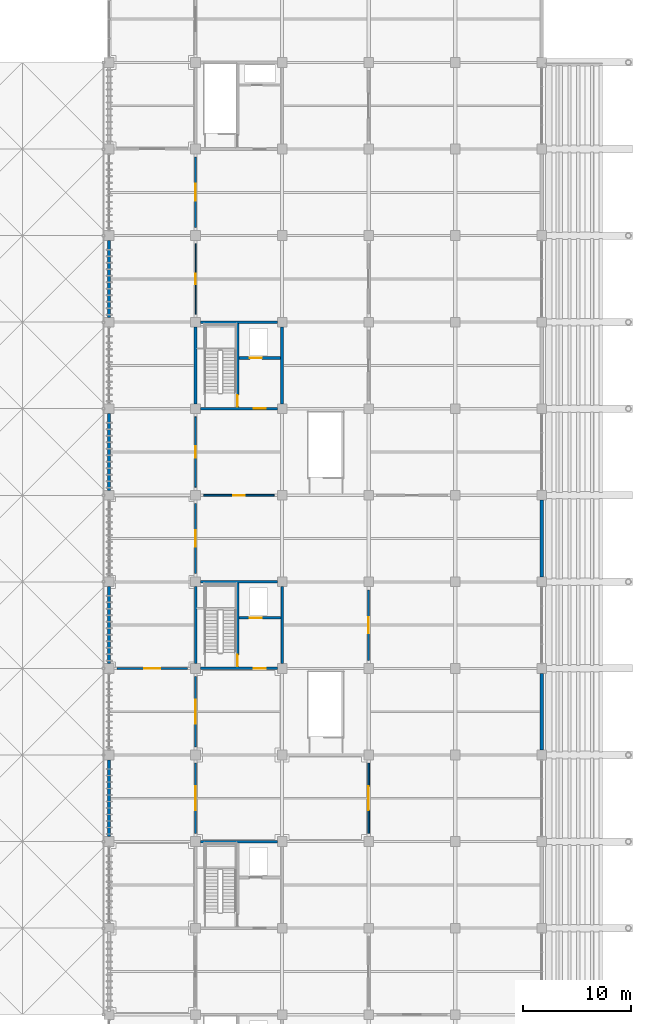
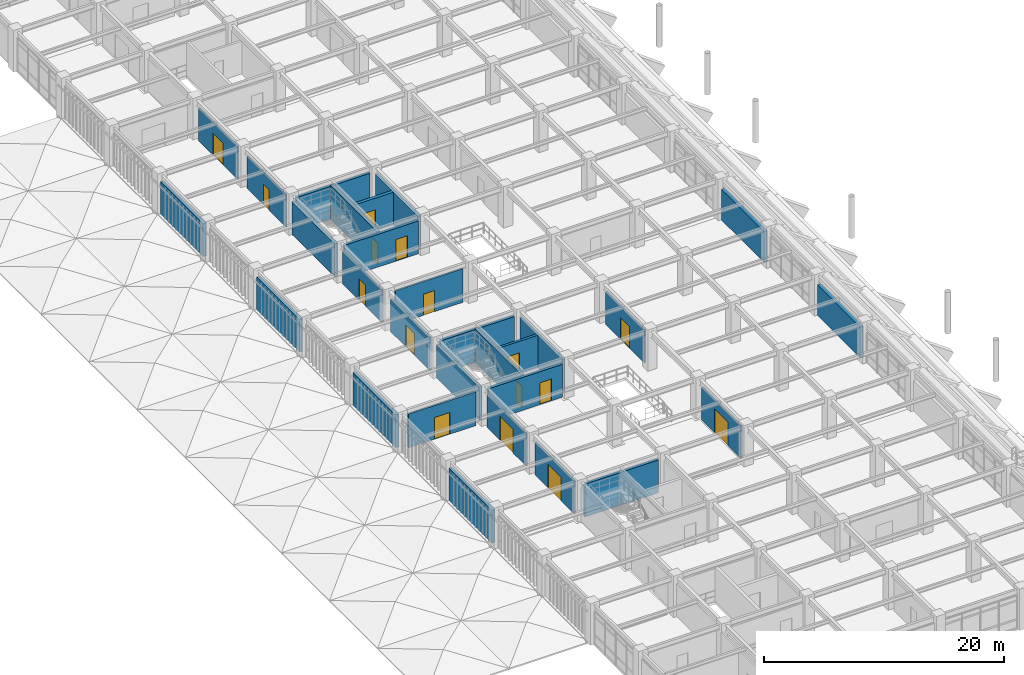
# One storey, part 88 of 118: 29 walls, 16 doors, 16 openings.
"""IFC4 building model written with IfcOpenShell, lengths in metres."""

from ifc_helpers import new_model, si_unit, direction, frame, frame_2d, origin, place, context, subcontext, project, spatial, rectangle, extrude, material, layer, layer_set, type_object, element, fill, save


model = new_model("IFC4")

# Units and contexts
model_context = context("Model", 3, precision=1e-05, world=origin(), true_north=direction((0.0, 1.0)))
body_context = subcontext(model_context, "Body", "Model", "MODEL_VIEW")
ifc_project = project(units=[si_unit("LENGTHUNIT", "METRE"), si_unit("AREAUNIT", "SQUARE_METRE"), si_unit("VOLUMEUNIT", "CUBIC_METRE"), si_unit("PLANEANGLEUNIT", "RADIAN"), si_unit("MASSUNIT", "GRAM", prefix="KILO")], contexts=[model_context])

# Site, building, storey
site_placement = place(None, origin())
site = spatial("IfcSite", under=ifc_project, at=site_placement, CompositionType="ELEMENT")
building_placement = place(site_placement, origin())
building = spatial("IfcBuilding", under=site, at=building_placement, Name="Haebicheon Civic Stadium", CompositionType="ELEMENT")
storey_placement = place(building_placement, frame((0.0, 0.0, 14.39990234375)))
storey = spatial("IfcBuildingStorey", under=building, at=storey_placement, Name="L04", CompositionType="ELEMENT", Elevation=14.39990234375)

# Wall
ifc_material_1 = material(Name="Concrete C40/50", Category="concrete")
ifc_layer_1 = layer(ifc_material_1, 0.239990234375, Name="Concrete C40/50")
ifc_layer_set_1 = layer_set([ifc_layer_1], Name="Concrete C40/50")
wall_type_1 = type_object("IfcWallType", Name="CW-SHR-240", PredefinedType="SHEAR", material=ifc_layer_set_1)
wall_1_placement = place(storey_placement, frame((32.449951171875, 64.0, 0.0), z_axis=(0.0, 0.0, 1.0), x_axis=(1.0, 0.0, 0.0)))
element("IfcWall", 1, at=wall_1_placement, inside=storey, type_object=wall_type_1, material=ifc_layer_set_1, Name="KC-02 L04 north core shear wall", PredefinedType="SHEAR", context=body_context, shape_type="SweptSolid", body=[
    extrude(rectangle(XDim=7.10009765625, YDim=0.239990234375, at=frame_2d((3.550048828125, 0.0))), origin(), (0.0, 0.0, 1.0), 3.330078125),
])

# Wall, opening, door
wall_2_placement = place(storey_placement, frame((32.449951171875, 80.0, 0.0), z_axis=(0.0, 0.0, 1.0), x_axis=(1.0, 0.0, 0.0)))
wall_2 = element("IfcWall", 2, at=wall_2_placement, inside=storey, type_object=wall_type_1, material=ifc_layer_set_1, Name="KC-03 L04 south core shear wall", PredefinedType="SHEAR", context=body_context, shape_type="SweptSolid", body=[
    extrude(rectangle(XDim=7.10009765625, YDim=0.239990234375, at=frame_2d((3.550048828125, 0.0))), origin(), (0.0, 0.0, 1.0), 3.330078125),
])
opening_1_placement = place(wall_2_placement, frame((4.949951171875, 0.0, 0.0)))
opening_1 = element("IfcOpeningElement", 3, at=opening_1_placement, cuts=wall_2, Name="Opening D-L04-KC-03-LOB", PredefinedType="OPENING", context=body_context, shape_type="SweptSolid", body=[
    extrude(rectangle(XDim=1.10009765625, YDim=2.199951171875, at=frame_2d((0.550048828125, 1.10009765625))), frame((0.0, 0.1298828125, 0.0), z_axis=(0.0, -1.0, 0.0), x_axis=(1.0, 0.0, 0.0)), (0.0, 0.0, 1.0), 0.260009765625),
])
ifc_material_2 = material(Name="Galvanised painted steel SM355", Category="steel")
door_type_1 = type_object("IfcDoorType", Name="ID-FD-1100", OperationType="NOTDEFINED", PredefinedType="DOOR", material=ifc_material_2)
door_1_placement = place(opening_1_placement, origin())
door_1 = element("IfcDoor", 4, at=door_1_placement, inside=storey, type_object=door_type_1, material=ifc_material_2, Name="L04 KC-03 lobby fire door", OperationType="SINGLE_SWING_RIGHT", OverallHeight=2.199951171875, OverallWidth=1.10009765625, PredefinedType="DOOR", context=body_context, shape_type="SweptSolid", body=[
    extrude(rectangle(XDim=1.10009765625, YDim=2.199951171875, at=frame_2d((0.550048828125, 1.10009765625))), frame((0.0, 0.02490234375, 0.0), z_axis=(0.0, -1.0, 0.0), x_axis=(1.0, 0.0, 0.0)), (0.0, 0.0, 1.0), 0.050048828125),
])
fill(opening_1, door_1)

# Walls
for number, where, z_axis, x_axis, name in (
    (5, (32.449951171875, 88.0, 0.0), (0.0, 0.0, 1.0), (1.0, 0.0, 0.0), "KC-03 L04 north core shear wall"),
    (6, (32.0, 80.449951171875, 0.0), (0.0, 0.0, 1.0), (0.0, 1.0, 0.0), "KC-03 L04 west core shear wall"),
    (7, (40.0, 80.449951171875, 0.0), (0.0, 0.0, 1.0), (0.0, 1.0, 0.0), "KC-03 L04 east core shear wall"),
):
    element("IfcWall", number, at=place(storey_placement, frame(where, z_axis=z_axis, x_axis=x_axis)), inside=storey, type_object=wall_type_1, material=ifc_layer_set_1, Name=name, PredefinedType="SHEAR", context=body_context, shape_type="SweptSolid", body=[
        extrude(rectangle(XDim=7.10009765625, YDim=0.239990234375, at=frame_2d((3.550048828125, 0.0))), origin(), (0.0, 0.0, 1.0), 3.330078125),
    ])

# Wall, opening, door
wall_3_placement = place(storey_placement, frame((35.8798828125, 80.1201171875, 0.0), z_axis=(0.0, 0.0, 1.0), x_axis=(0.0, 1.0, 0.0)))
wall_3 = element("IfcWall", 8, at=wall_3_placement, inside=storey, type_object=wall_type_1, material=ifc_layer_set_1, Name="KC-03 L04 stair-lobby dividing shear wall", PredefinedType="SHEAR", context=body_context, shape_type="SweptSolid", body=[
    extrude(rectangle(XDim=7.759765625, YDim=0.239990234375, at=frame_2d((3.8798828125, 0.0))), origin(), (0.0, 0.0, 1.0), 3.43017578125),
])
opening_2_placement = place(wall_3_placement, frame((0.080078125, 0.0, 0.0)))
opening_2 = element("IfcOpeningElement", 9, at=opening_2_placement, cuts=wall_3, Name="Opening D-L04-KC-03-STR", PredefinedType="OPENING", context=body_context, shape_type="SweptSolid", body=[
    extrude(rectangle(XDim=1.050048828125, YDim=2.14990234375, at=frame_2d((0.52490234375, 1.074951171875))), frame((0.0, 0.1298828125, 0.0), z_axis=(0.0, -1.0, 0.0), x_axis=(1.0, 0.0, 0.0)), (0.0, 0.0, 1.0), 0.260009765625),
])
ifc_material_3 = material(Name="Galvanised painted steel SM355", Category="steel")
door_type_2 = type_object("IfcDoorType", Name="ID-FD-1050", OperationType="NOTDEFINED", PredefinedType="DOOR", material=ifc_material_3)
door_2_placement = place(opening_2_placement, origin())
door_2 = element("IfcDoor", 10, at=door_2_placement, inside=storey, type_object=door_type_2, material=ifc_material_3, Name="L04 ST-03 stairwell escape door", OperationType="SINGLE_SWING_LEFT", OverallHeight=2.14990234375, OverallWidth=1.050048828125, PredefinedType="DOOR", context=body_context, shape_type="SweptSolid", body=[
    extrude(rectangle(XDim=1.050048828125, YDim=2.14990234375, at=frame_2d((0.52490234375, 1.074951171875))), frame((0.0, 0.02490234375, 0.0), z_axis=(0.0, -1.0, 0.0), x_axis=(1.0, 0.0, 0.0)), (0.0, 0.0, 1.0), 0.050048828125),
])
fill(opening_2, door_2)

wall_4_placement = place(storey_placement, frame((36.0, 84.679931640625, 0.0), z_axis=(0.0, 0.0, 1.0), x_axis=(1.0, 0.0, 0.0)))
wall_4 = element("IfcWall", 11, at=wall_4_placement, inside=storey, type_object=wall_type_1, material=ifc_layer_set_1, Name="KC-03 L04 lift shaft front wall", PredefinedType="SHEAR", context=body_context, shape_type="SweptSolid", body=[
    extrude(rectangle(XDim=3.8798828125, YDim=0.239990234375, at=frame_2d((1.93994140625, 0.0))), origin(), (0.0, 0.0, 1.0), 3.330078125),
])
opening_3_placement = place(wall_4_placement, frame((1.0, 0.0, 0.0)))
opening_3 = element("IfcOpeningElement", 12, at=opening_3_placement, cuts=wall_4, Name="Opening LD-03-L04", PredefinedType="OPENING", context=body_context, shape_type="SweptSolid", body=[
    extrude(rectangle(XDim=1.10009765625, YDim=2.14990234375, at=frame_2d((0.550048828125, 1.074951171875))), frame((0.0, 0.1298828125, 0.0), z_axis=(0.0, -1.0, 0.0), x_axis=(1.0, 0.0, 0.0)), (0.0, 0.0, 1.0), 0.260009765625),
])
ifc_material_4 = material(Name="Stainless steel 316", Category="steel")
door_type_3 = type_object("IfcDoorType", Name="ID-LD-1100", OperationType="NOTDEFINED", PredefinedType="DOOR", material=ifc_material_4)
door_3_placement = place(opening_3_placement, origin())
door_3 = element("IfcDoor", 13, at=door_3_placement, inside=storey, type_object=door_type_3, material=ifc_material_4, Name="LF-03 lift landing sliding door L04", OperationType="SLIDING_TO_LEFT", OverallHeight=2.14990234375, OverallWidth=1.10009765625, PredefinedType="DOOR", context=body_context, shape_type="SweptSolid", body=[
    extrude(rectangle(XDim=1.10009765625, YDim=2.14990234375, at=frame_2d((0.550048828125, 1.074951171875))), frame((0.0, 0.02490234375, 0.0), z_axis=(0.0, -1.0, 0.0), x_axis=(1.0, 0.0, 0.0)), (0.0, 0.0, 1.0), 0.050048828125),
])
fill(opening_3, door_3)

wall_5_placement = place(storey_placement, frame((32.449951171875, 104.0, 0.0), z_axis=(0.0, 0.0, 1.0), x_axis=(1.0, 0.0, 0.0)))
wall_5 = element("IfcWall", 14, at=wall_5_placement, inside=storey, type_object=wall_type_1, material=ifc_layer_set_1, Name="KC-04 L04 south core shear wall", PredefinedType="SHEAR", context=body_context, shape_type="SweptSolid", body=[
    extrude(rectangle(XDim=7.10009765625, YDim=0.239990234375, at=frame_2d((3.550048828125, 0.0))), origin(), (0.0, 0.0, 1.0), 3.330078125),
])
opening_4_placement = place(wall_5_placement, frame((4.949951171875, 0.0, 0.0)))
opening_4 = element("IfcOpeningElement", 15, at=opening_4_placement, cuts=wall_5, Name="Opening D-L04-KC-04-LOB", PredefinedType="OPENING", context=body_context, shape_type="SweptSolid", body=[
    extrude(rectangle(XDim=1.10009765625, YDim=2.199951171875, at=frame_2d((0.550048828125, 1.10009765625))), frame((0.0, 0.1298828125, 0.0), z_axis=(0.0, -1.0, 0.0), x_axis=(1.0, 0.0, 0.0)), (0.0, 0.0, 1.0), 0.260009765625),
])
door_4_placement = place(opening_4_placement, origin())
door_4 = element("IfcDoor", 16, at=door_4_placement, inside=storey, type_object=door_type_1, material=ifc_material_2, Name="L04 KC-04 lobby fire door", OperationType="SINGLE_SWING_RIGHT", OverallHeight=2.199951171875, OverallWidth=1.10009765625, PredefinedType="DOOR", context=body_context, shape_type="SweptSolid", body=[
    extrude(rectangle(XDim=1.10009765625, YDim=2.199951171875, at=frame_2d((0.550048828125, 1.10009765625))), frame((0.0, 0.02490234375, 0.0), z_axis=(0.0, -1.0, 0.0), x_axis=(1.0, 0.0, 0.0)), (0.0, 0.0, 1.0), 0.050048828125),
])
fill(opening_4, door_4)

# Walls
wall_6_placement = place(storey_placement, frame((32.449951171875, 112.0, 0.0), z_axis=(0.0, 0.0, 1.0), x_axis=(1.0, 0.0, 0.0)))
element("IfcWall", 17, at=wall_6_placement, inside=storey, type_object=wall_type_1, material=ifc_layer_set_1, Name="KC-04 L04 north core shear wall", PredefinedType="SHEAR", context=body_context, shape_type="SweptSolid", body=[
    extrude(rectangle(XDim=7.10009765625, YDim=0.239990234375, at=frame_2d((3.550048828125, 0.0))), origin(), (0.0, 0.0, 1.0), 3.330078125),
])
ifc_material_5 = material(Name="Concrete C40/50", Category="concrete")
ifc_layer_2 = layer(ifc_material_5, 0.300048828125, Name="Concrete C40/50")
ifc_layer_set_2 = layer_set([ifc_layer_2], Name="Concrete C40/50")
wall_type_2 = type_object("IfcWallType", Name="CW-SHR-300", PredefinedType="SHEAR", material=ifc_layer_set_2)
for number, where, z_axis, x_axis, name in (
    (18, (32.0, 104.449951171875, 0.0), (0.0, 0.0, 1.0), (0.0, 1.0, 0.0), "KC-04 L04 west core shear wall"),
    (19, (40.0, 104.449951171875, 0.0), (0.0, 0.0, 1.0), (0.0, 1.0, 0.0), "KC-04 L04 east core shear wall"),
):
    element("IfcWall", number, at=place(storey_placement, frame(where, z_axis=z_axis, x_axis=x_axis)), inside=storey, type_object=wall_type_2, material=ifc_layer_set_2, Name=name, PredefinedType="SHEAR", context=body_context, shape_type="SweptSolid", body=[
        extrude(rectangle(XDim=7.10009765625, YDim=0.300048828125, at=frame_2d((3.550048828125, 0.0))), origin(), (0.0, 0.0, 1.0), 3.330078125),
    ])

# Wall, opening, door
wall_7_placement = place(storey_placement, frame((35.8798828125, 104.1201171875, 0.0), z_axis=(0.0, 0.0, 1.0), x_axis=(0.0, 1.0, 0.0)))
wall_7 = element("IfcWall", 20, at=wall_7_placement, inside=storey, type_object=wall_type_2, material=ifc_layer_set_2, Name="KC-04 L04 stair-lobby dividing shear wall", PredefinedType="SHEAR", context=body_context, shape_type="SweptSolid", body=[
    extrude(rectangle(XDim=7.759765625, YDim=0.300048828125, at=frame_2d((3.8798828125, 0.0))), origin(), (0.0, 0.0, 1.0), 3.43017578125),
])
opening_5_placement = place(wall_7_placement, frame((0.080078125, 0.0, 0.0)))
opening_5 = element("IfcOpeningElement", 21, at=opening_5_placement, cuts=wall_7, Name="Opening D-L04-KC-04-STR", PredefinedType="OPENING", context=body_context, shape_type="SweptSolid", body=[
    extrude(rectangle(XDim=1.050048828125, YDim=2.14990234375, at=frame_2d((0.52490234375, 1.074951171875))), frame((0.0, 0.159912109375, 0.0), z_axis=(0.0, -1.0, 0.0), x_axis=(1.0, 0.0, 0.0)), (0.0, 0.0, 1.0), 0.320068359375),
])
door_5_placement = place(opening_5_placement, origin())
door_5 = element("IfcDoor", 22, at=door_5_placement, inside=storey, type_object=door_type_2, material=ifc_material_3, Name="L04 ST-04 stairwell escape door", OperationType="SINGLE_SWING_LEFT", OverallHeight=2.14990234375, OverallWidth=1.050048828125, PredefinedType="DOOR", context=body_context, shape_type="SweptSolid", body=[
    extrude(rectangle(XDim=1.050048828125, YDim=2.14990234375, at=frame_2d((0.52490234375, 1.074951171875))), frame((0.0, 0.02490234375, 0.0), z_axis=(0.0, -1.0, 0.0), x_axis=(1.0, 0.0, 0.0)), (0.0, 0.0, 1.0), 0.050048828125),
])
fill(opening_5, door_5)

wall_8_placement = place(storey_placement, frame((36.030029296875, 108.679931640625, 0.0), z_axis=(0.0, 0.0, 1.0), x_axis=(1.0, 0.0, 0.0)))
wall_8 = element("IfcWall", 23, at=wall_8_placement, inside=storey, type_object=wall_type_2, material=ifc_layer_set_2, Name="KC-04 L04 lift shaft front wall", PredefinedType="SHEAR", context=body_context, shape_type="SweptSolid", body=[
    extrude(rectangle(XDim=3.820068359375, YDim=0.300048828125, at=frame_2d((1.91015625, 0.0))), origin(), (0.0, 0.0, 1.0), 3.330078125),
])
opening_6_placement = place(wall_8_placement, frame((1.0, 0.0, 0.0)))
opening_6 = element("IfcOpeningElement", 24, at=opening_6_placement, cuts=wall_8, Name="Opening LD-04-L04", PredefinedType="OPENING", context=body_context, shape_type="SweptSolid", body=[
    extrude(rectangle(XDim=1.10009765625, YDim=2.14990234375, at=frame_2d((0.550048828125, 1.074951171875))), frame((0.0, 0.159912109375, 0.0), z_axis=(0.0, -1.0, 0.0), x_axis=(1.0, 0.0, 0.0)), (0.0, 0.0, 1.0), 0.320068359375),
])
door_6_placement = place(opening_6_placement, origin())
door_6 = element("IfcDoor", 25, at=door_6_placement, inside=storey, type_object=door_type_3, material=ifc_material_4, Name="LF-04 lift landing sliding door L04", OperationType="SLIDING_TO_LEFT", OverallHeight=2.14990234375, OverallWidth=1.10009765625, PredefinedType="DOOR", context=body_context, shape_type="SweptSolid", body=[
    extrude(rectangle(XDim=1.10009765625, YDim=2.14990234375, at=frame_2d((0.550048828125, 1.074951171875))), frame((0.0, 0.02490234375, 0.0), z_axis=(0.0, -1.0, 0.0), x_axis=(1.0, 0.0, 0.0)), (0.0, 0.0, 1.0), 0.050048828125),
])
fill(opening_6, door_6)

# Walls
ifc_material_6 = material(Name="Precast concrete C40/50", Category="concrete")
ifc_layer_3 = layer(ifc_material_6, 0.320068359375, Name="Precast concrete C40/50")
ifc_layer_set_3 = layer_set([ifc_layer_3], Name="Precast concrete C40/50")
wall_type_3 = type_object("IfcWallType", Name="EW-BM-320", PredefinedType="SOLIDWALL", material=ifc_layer_set_3)
for number, where, z_axis, x_axis, name in (
    (26, (24.0, 64.449951171875, 0.0), (0.0, 0.0, 1.0), (0.0, 1.0, 0.0), "L04 board-marked concrete facade wall 03-08-W"),
    (27, (24.0, 80.449951171875, 0.0), (0.0, 0.0, 1.0), (0.0, 1.0, 0.0), "L04 board-marked concrete facade wall 03-10-W"),
    (28, (24.0, 96.449951171875, 0.0), (0.0, 0.0, 1.0), (0.0, 1.0, 0.0), "L04 board-marked concrete facade wall 03-12-W"),
    (29, (24.0, 112.449951171875, 0.0), (0.0, 0.0, 1.0), (0.0, 1.0, 0.0), "L04 board-marked concrete facade wall 03-14-W"),
):
    element("IfcWall", number, at=place(storey_placement, frame(where, z_axis=z_axis, x_axis=x_axis)), inside=storey, type_object=wall_type_3, material=ifc_layer_set_3, Name=name, PredefinedType="SOLIDWALL", context=body_context, shape_type="SweptSolid", body=[
        extrude(rectangle(XDim=7.10009765625, YDim=0.320068359375, at=frame_2d((3.550048828125, 0.0))), origin(), (0.0, 0.0, 1.0), 3.330078125),
    ])
for number, where, z_axis, x_axis, name in (
    (30, (64.0, 72.449951171875, 0.0), (0.0, 0.0, 1.0), (0.0, 1.0, 0.0), "L04 board-marked concrete facade wall 08-09-E"),
    (31, (64.0, 88.449951171875, 0.0), (0.0, 0.0, 1.0), (0.0, 1.0, 0.0), "L04 board-marked concrete facade wall 08-11-E"),
):
    element("IfcWall", number, at=place(storey_placement, frame(where, z_axis=z_axis, x_axis=x_axis)), inside=storey, type_object=wall_type_3, material=ifc_layer_set_3, Name=name, PredefinedType="SOLIDWALL", context=body_context, shape_type="SweptSolid", body=[
        extrude(rectangle(XDim=7.10009765625, YDim=0.320068359375, at=frame_2d((3.550048828125, 0.0))), origin(), (0.0, 0.0, 1.0), 3.10009765625),
    ])

# Wall, opening, door
ifc_material_7 = material(Name="Anodised aluminium and laminated glass", Category="aluminium")
ifc_layer_4 = layer(ifc_material_7, 0.10009765625, Name="Anodised aluminium and laminated glass")
ifc_layer_set_4 = layer_set([ifc_layer_4], Name="Anodised aluminium and laminated glass")
wall_type_4 = type_object("IfcWallType", Name="IW-PRT-100", PredefinedType="PARTITIONING", material=ifc_layer_set_4)
wall_9_placement = place(storey_placement, frame((32.0, 112.75, 0.0), z_axis=(0.0, 0.0, 1.0), x_axis=(0.0, 1.0, 0.0)))
wall_9 = element("IfcWall", 32, at=wall_9_placement, inside=storey, type_object=wall_type_4, material=ifc_layer_set_4, Name="L04 Presidential Hospitality Lounge partition wall", PredefinedType="PARTITIONING", context=body_context, shape_type="SweptSolid", body=[
    extrude(rectangle(XDim=6.5, YDim=0.10009765625, at=frame_2d((3.25, 0.0))), origin(), (0.0, 0.0, 1.0), 3.330078125),
])
opening_7_placement = place(wall_9_placement, frame((2.77490234375, 0.0, 0.0)))
opening_7 = element("IfcOpeningElement", 33, at=opening_7_placement, cuts=wall_9, Name="Opening D-L04-355", PredefinedType="OPENING", context=body_context, shape_type="SweptSolid", body=[
    extrude(rectangle(XDim=0.949951171875, YDim=2.10009765625, at=frame_2d((0.47509765625, 1.050048828125))), frame((0.0, 0.06005859375, 0.0), z_axis=(0.0, -1.0, 0.0), x_axis=(1.0, 0.0, 0.0)), (0.0, 0.0, 1.0), 0.1201171875),
])
ifc_material_8 = material(Name="Engineered hardwood timber", Category="wood")
door_type_4 = type_object("IfcDoorType", Name="ID-RM-0950", OperationType="NOTDEFINED", PredefinedType="DOOR", material=ifc_material_8)
door_7_placement = place(opening_7_placement, origin())
door_7 = element("IfcDoor", 34, at=door_7_placement, inside=storey, type_object=door_type_4, material=ifc_material_8, Name="L04 Presidential Hospitality Lounge entrance door D-L04-355", OperationType="SINGLE_SWING_RIGHT", OverallHeight=2.10009765625, OverallWidth=0.949951171875, PredefinedType="DOOR", context=body_context, shape_type="SweptSolid", body=[
    extrude(rectangle(XDim=0.949951171875, YDim=2.10009765625, at=frame_2d((0.47509765625, 1.050048828125))), frame((0.0, 0.02490234375, 0.0), z_axis=(0.0, -1.0, 0.0), x_axis=(1.0, 0.0, 0.0)), (0.0, 0.0, 1.0), 0.050048828125),
])
fill(opening_7, door_7)

ifc_material_9 = material(Name="Gypsum plasterboard on steel studs", Category="gypsum")
ifc_layer_5 = layer(ifc_material_9, 0.14990234375, Name="Gypsum plasterboard on steel studs")
ifc_layer_set_5 = layer_set([ifc_layer_5], Name="Gypsum plasterboard on steel studs")
wall_type_5 = type_object("IfcWallType", Name="IW-PRT-150", PredefinedType="PARTITIONING", material=ifc_layer_set_5)
wall_10_placement = place(storey_placement, frame((32.0, 64.75, 0.0), z_axis=(0.0, 0.0, 1.0), x_axis=(0.0, 1.0, 0.0)))
wall_10 = element("IfcWall", 35, at=wall_10_placement, inside=storey, type_object=wall_type_5, material=ifc_layer_set_5, Name="L04 VIP Banquet Dining Room partition wall", PredefinedType="PARTITIONING", context=body_context, shape_type="SweptSolid", body=[
    extrude(rectangle(XDim=6.5, YDim=0.14990234375, at=frame_2d((3.25, 0.0))), origin(), (0.0, 0.0, 1.0), 3.330078125),
])
opening_8_placement = place(wall_10_placement, frame((2.14990234375, 0.0, 0.0)))
opening_8 = element("IfcOpeningElement", 36, at=opening_8_placement, cuts=wall_10, Name="Opening D-L04-352", PredefinedType="OPENING", context=body_context, shape_type="SweptSolid", body=[
    extrude(rectangle(XDim=2.199951171875, YDim=2.39990234375, at=frame_2d((1.10009765625, 1.199951171875))), frame((0.0, 0.0849609375, 0.0), z_axis=(0.0, -1.0, 0.0), x_axis=(1.0, 0.0, 0.0)), (0.0, 0.0, 1.0), 0.169921875),
])
ifc_material_10 = material(Name="Engineered hardwood timber", Category="wood")
door_type_5 = type_object("IfcDoorType", Name="ID-DBL-2200", OperationType="NOTDEFINED", PredefinedType="DOOR", material=ifc_material_10)
door_8_placement = place(opening_8_placement, origin())
door_8 = element("IfcDoor", 37, at=door_8_placement, inside=storey, type_object=door_type_5, material=ifc_material_10, Name="L04 VIP Banquet Dining Room entrance door D-L04-352", OperationType="DOUBLE_SWING_LEFT", OverallHeight=2.39990234375, OverallWidth=2.199951171875, PredefinedType="DOOR", context=body_context, shape_type="SweptSolid", body=[
    extrude(rectangle(XDim=2.199951171875, YDim=2.39990234375, at=frame_2d((1.10009765625, 1.199951171875))), frame((0.0, 0.02490234375, 0.0), z_axis=(0.0, -1.0, 0.0), x_axis=(1.0, 0.0, 0.0)), (0.0, 0.0, 1.0), 0.050048828125),
])
fill(opening_8, door_8)

wall_11_placement = place(storey_placement, frame((32.0, 96.75, 0.0), z_axis=(0.0, 0.0, 1.0), x_axis=(0.0, 1.0, 0.0)))
wall_11 = element("IfcWall", 38, at=wall_11_placement, inside=storey, type_object=wall_type_5, material=ifc_layer_set_5, Name="L04 Hospitality Suite partition wall", PredefinedType="PARTITIONING", context=body_context, shape_type="SweptSolid", body=[
    extrude(rectangle(XDim=6.5, YDim=0.14990234375, at=frame_2d((3.25, 0.0))), origin(), (0.0, 0.0, 1.0), 3.330078125),
])
opening_9_placement = place(wall_11_placement, frame((2.72509765625, 0.0, 0.0)))
opening_9 = element("IfcOpeningElement", 39, at=opening_9_placement, cuts=wall_11, Name="Opening D-L04-354", PredefinedType="OPENING", context=body_context, shape_type="SweptSolid", body=[
    extrude(rectangle(XDim=1.050048828125, YDim=2.14990234375, at=frame_2d((0.52490234375, 1.074951171875))), frame((0.0, 0.0849609375, 0.0), z_axis=(0.0, -1.0, 0.0), x_axis=(1.0, 0.0, 0.0)), (0.0, 0.0, 1.0), 0.169921875),
])
ifc_material_11 = material(Name="Engineered hardwood timber", Category="wood")
door_type_6 = type_object("IfcDoorType", Name="ID-RM-1050", OperationType="NOTDEFINED", PredefinedType="DOOR", material=ifc_material_11)
door_9_placement = place(opening_9_placement, origin())
door_9 = element("IfcDoor", 40, at=door_9_placement, inside=storey, type_object=door_type_6, material=ifc_material_11, Name="L04 Hospitality Suite entrance door D-L04-354", OperationType="SINGLE_SWING_LEFT", OverallHeight=2.14990234375, OverallWidth=1.050048828125, PredefinedType="DOOR", context=body_context, shape_type="SweptSolid", body=[
    extrude(rectangle(XDim=1.050048828125, YDim=2.14990234375, at=frame_2d((0.52490234375, 1.074951171875))), frame((0.0, 0.02490234375, 0.0), z_axis=(0.0, -1.0, 0.0), x_axis=(1.0, 0.0, 0.0)), (0.0, 0.0, 1.0), 0.050048828125),
])
fill(opening_9, door_9)

wall_12_placement = place(storey_placement, frame((32.0, 72.75, 0.0), z_axis=(0.0, 0.0, 1.0), x_axis=(0.0, 1.0, 0.0)))
wall_12 = element("IfcWall", 41, at=wall_12_placement, inside=storey, type_object=wall_type_5, material=ifc_layer_set_5, Name="L04 VIP Banquet Dining Room partition wall", PredefinedType="PARTITIONING", context=body_context, shape_type="SweptSolid", body=[
    extrude(rectangle(XDim=6.5, YDim=0.14990234375, at=frame_2d((3.25, 0.0))), origin(), (0.0, 0.0, 1.0), 3.330078125),
])
opening_10_placement = place(wall_12_placement, frame((2.14990234375, 0.0, 0.0)))
opening_10 = element("IfcOpeningElement", 42, at=opening_10_placement, cuts=wall_12, Name="Opening D-L04-360", PredefinedType="OPENING", context=body_context, shape_type="SweptSolid", body=[
    extrude(rectangle(XDim=2.199951171875, YDim=2.39990234375, at=frame_2d((1.10009765625, 1.199951171875))), frame((0.0, 0.0849609375, 0.0), z_axis=(0.0, -1.0, 0.0), x_axis=(1.0, 0.0, 0.0)), (0.0, 0.0, 1.0), 0.169921875),
])
door_10_placement = place(opening_10_placement, origin())
door_10 = element("IfcDoor", 43, at=door_10_placement, inside=storey, type_object=door_type_5, material=ifc_material_10, Name="L04 VIP Banquet Dining Room entrance door D-L04-360", OperationType="DOUBLE_SWING_LEFT", OverallHeight=2.39990234375, OverallWidth=2.199951171875, PredefinedType="DOOR", context=body_context, shape_type="SweptSolid", body=[
    extrude(rectangle(XDim=2.199951171875, YDim=2.39990234375, at=frame_2d((1.10009765625, 1.199951171875))), frame((0.0, 0.02490234375, 0.0), z_axis=(0.0, -1.0, 0.0), x_axis=(1.0, 0.0, 0.0)), (0.0, 0.0, 1.0), 0.050048828125),
])
fill(opening_10, door_10)

wall_13_placement = place(storey_placement, frame((32.75, 96.0, 0.0), z_axis=(0.0, 0.0, 1.0), x_axis=(1.0, 0.0, 0.0)))
wall_13 = element("IfcWall", 44, at=wall_13_placement, inside=storey, type_object=wall_type_5, material=ifc_layer_set_5, Name="L04 Hospitality Suite partition wall", PredefinedType="PARTITIONING", context=body_context, shape_type="SweptSolid", body=[
    extrude(rectangle(XDim=6.5, YDim=0.14990234375, at=frame_2d((3.25, 0.0))), origin(), (0.0, 0.0, 1.0), 3.43017578125),
])
opening_11_placement = place(wall_13_placement, frame((2.72509765625, 0.0, 0.0)))
opening_11 = element("IfcOpeningElement", 45, at=opening_11_placement, cuts=wall_13, Name="Opening D-L04-362", PredefinedType="OPENING", context=body_context, shape_type="SweptSolid", body=[
    extrude(rectangle(XDim=1.050048828125, YDim=2.14990234375, at=frame_2d((0.52490234375, 1.074951171875))), frame((0.0, 0.0849609375, 0.0), z_axis=(0.0, -1.0, 0.0), x_axis=(1.0, 0.0, 0.0)), (0.0, 0.0, 1.0), 0.169921875),
])
door_11_placement = place(opening_11_placement, origin())
door_11 = element("IfcDoor", 46, at=door_11_placement, inside=storey, type_object=door_type_6, material=ifc_material_11, Name="L04 Hospitality Suite entrance door D-L04-362", OperationType="SINGLE_SWING_LEFT", OverallHeight=2.14990234375, OverallWidth=1.050048828125, PredefinedType="DOOR", context=body_context, shape_type="SweptSolid", body=[
    extrude(rectangle(XDim=1.050048828125, YDim=2.14990234375, at=frame_2d((0.52490234375, 1.074951171875))), frame((0.0, 0.02490234375, 0.0), z_axis=(0.0, -1.0, 0.0), x_axis=(1.0, 0.0, 0.0)), (0.0, 0.0, 1.0), 0.050048828125),
])
fill(opening_11, door_11)

wall_14_placement = place(storey_placement, frame((32.0, 120.75, 0.0), z_axis=(0.0, 0.0, 1.0), x_axis=(0.0, 1.0, 0.0)))
wall_14 = element("IfcWall", 47, at=wall_14_placement, inside=storey, type_object=wall_type_5, material=ifc_layer_set_5, Name="L04 Presidential Hospitality Lounge partition wall", PredefinedType="PARTITIONING", context=body_context, shape_type="SweptSolid", body=[
    extrude(rectangle(XDim=6.5, YDim=0.14990234375, at=frame_2d((3.25, 0.0))), origin(), (0.0, 0.0, 1.0), 3.330078125),
])
opening_12_placement = place(wall_14_placement, frame((2.449951171875, 0.0, 0.0)))
opening_12 = element("IfcOpeningElement", 48, at=opening_12_placement, cuts=wall_14, Name="Opening D-L04-364", PredefinedType="OPENING", context=body_context, shape_type="SweptSolid", body=[
    extrude(rectangle(XDim=1.60009765625, YDim=2.199951171875, at=frame_2d((0.800048828125, 1.10009765625))), frame((0.0, 0.0849609375, 0.0), z_axis=(0.0, -1.0, 0.0), x_axis=(1.0, 0.0, 0.0)), (0.0, 0.0, 1.0), 0.169921875),
])
ifc_material_12 = material(Name="Anodised aluminium and laminated glass", Category="aluminium")
door_type_7 = type_object("IfcDoorType", Name="ID-DBL-1600", OperationType="NOTDEFINED", PredefinedType="DOOR", material=ifc_material_12)
door_12_placement = place(opening_12_placement, origin())
door_12 = element("IfcDoor", 49, at=door_12_placement, inside=storey, type_object=door_type_7, material=ifc_material_12, Name="L04 Presidential Hospitality Lounge entrance door D-L04-364", OperationType="DOUBLE_SWING_LEFT", OverallHeight=2.199951171875, OverallWidth=1.60009765625, PredefinedType="DOOR", context=body_context, shape_type="SweptSolid", body=[
    extrude(rectangle(XDim=1.60009765625, YDim=2.199951171875, at=frame_2d((0.800048828125, 1.10009765625))), frame((0.0, 0.02490234375, 0.0), z_axis=(0.0, -1.0, 0.0), x_axis=(1.0, 0.0, 0.0)), (0.0, 0.0, 1.0), 0.050048828125),
])
fill(opening_12, door_12)

wall_15_placement = place(storey_placement, frame((48.0, 64.75, 0.0), z_axis=(0.0, 0.0, 1.0), x_axis=(0.0, 1.0, 0.0)))
wall_15 = element("IfcWall", 50, at=wall_15_placement, inside=storey, type_object=wall_type_5, material=ifc_layer_set_5, Name="L04 VIP Banquet Dining Room partition wall", PredefinedType="PARTITIONING", context=body_context, shape_type="SweptSolid", body=[
    extrude(rectangle(XDim=6.5, YDim=0.14990234375, at=frame_2d((3.25, 0.0))), origin(), (0.0, 0.0, 1.0), 3.330078125),
])
opening_13_placement = place(wall_15_placement, frame((2.14990234375, 0.0, 0.0)))
opening_13 = element("IfcOpeningElement", 51, at=opening_13_placement, cuts=wall_15, Name="Opening D-L04-369", PredefinedType="OPENING", context=body_context, shape_type="SweptSolid", body=[
    extrude(rectangle(XDim=2.199951171875, YDim=2.39990234375, at=frame_2d((1.10009765625, 1.199951171875))), frame((0.0, 0.0849609375, 0.0), z_axis=(0.0, -1.0, 0.0), x_axis=(1.0, 0.0, 0.0)), (0.0, 0.0, 1.0), 0.169921875),
])
door_13_placement = place(opening_13_placement, origin())
door_13 = element("IfcDoor", 52, at=door_13_placement, inside=storey, type_object=door_type_5, material=ifc_material_10, Name="L04 VIP Banquet Dining Room entrance door D-L04-369", OperationType="DOUBLE_SWING_LEFT", OverallHeight=2.39990234375, OverallWidth=2.199951171875, PredefinedType="DOOR", context=body_context, shape_type="SweptSolid", body=[
    extrude(rectangle(XDim=2.199951171875, YDim=2.39990234375, at=frame_2d((1.10009765625, 1.199951171875))), frame((0.0, 0.02490234375, 0.0), z_axis=(0.0, -1.0, 0.0), x_axis=(1.0, 0.0, 0.0)), (0.0, 0.0, 1.0), 0.050048828125),
])
fill(opening_13, door_13)

ifc_material_13 = material(Name="Concrete C35/45", Category="concrete")
ifc_layer_6 = layer(ifc_material_13, 0.179931640625, Name="Concrete C35/45")
ifc_layer_set_6 = layer_set([ifc_layer_6], Name="Concrete C35/45")
wall_type_6 = type_object("IfcWallType", Name="IW-PRT-180", PredefinedType="PARTITIONING", material=ifc_layer_set_6)
wall_16_placement = place(storey_placement, frame((24.75, 80.0, 0.0), z_axis=(0.0, 0.0, 1.0), x_axis=(1.0, 0.0, 0.0)))
wall_16 = element("IfcWall", 53, at=wall_16_placement, inside=storey, type_object=wall_type_6, material=ifc_layer_set_6, Name="L04 Sommelier Pantry Kitchen partition wall", PredefinedType="PARTITIONING", context=body_context, shape_type="SweptSolid", body=[
    extrude(rectangle(XDim=6.5, YDim=0.179931640625, at=frame_2d((3.25, 0.0))), origin(), (0.0, 0.0, 1.0), 3.43017578125),
])
opening_14_placement = place(wall_16_placement, frame((2.5, 0.0, 0.0)))
opening_14 = element("IfcOpeningElement", 54, at=opening_14_placement, cuts=wall_16, Name="Opening D-L04-353", PredefinedType="OPENING", context=body_context, shape_type="SweptSolid", body=[
    extrude(rectangle(XDim=1.5, YDim=2.199951171875, at=frame_2d((0.75, 1.10009765625))), frame((0.0, 0.099853515625, 0.0), z_axis=(0.0, -1.0, 0.0), x_axis=(1.0, 0.0, 0.0)), (0.0, 0.0, 1.0), 0.199951171875),
])
ifc_material_14 = material(Name="Galvanised painted steel SM355", Category="steel")
door_type_8 = type_object("IfcDoorType", Name="ID-FD-1500", OperationType="NOTDEFINED", PredefinedType="DOOR", material=ifc_material_14)
door_14_placement = place(opening_14_placement, origin())
door_14 = element("IfcDoor", 55, at=door_14_placement, inside=storey, type_object=door_type_8, material=ifc_material_14, Name="L04 Sommelier Pantry Kitchen entrance door D-L04-353", OperationType="SINGLE_SWING_RIGHT", OverallHeight=2.199951171875, OverallWidth=1.5, PredefinedType="DOOR", context=body_context, shape_type="SweptSolid", body=[
    extrude(rectangle(XDim=1.5, YDim=2.199951171875, at=frame_2d((0.75, 1.10009765625))), frame((0.0, 0.02490234375, 0.0), z_axis=(0.0, -1.0, 0.0), x_axis=(1.0, 0.0, 0.0)), (0.0, 0.0, 1.0), 0.050048828125),
])
fill(opening_14, door_14)

wall_17_placement = place(storey_placement, frame((32.0, 88.75, 0.0), z_axis=(0.0, 0.0, 1.0), x_axis=(0.0, 1.0, 0.0)))
wall_17 = element("IfcWall", 56, at=wall_17_placement, inside=storey, type_object=wall_type_6, material=ifc_layer_set_6, Name="L04 Sommelier Pantry Kitchen partition wall", PredefinedType="PARTITIONING", context=body_context, shape_type="SweptSolid", body=[
    extrude(rectangle(XDim=6.5, YDim=0.179931640625, at=frame_2d((3.25, 0.0))), origin(), (0.0, 0.0, 1.0), 3.330078125),
])
opening_15_placement = place(wall_17_placement, frame((2.5, 0.0, 0.0)))
opening_15 = element("IfcOpeningElement", 57, at=opening_15_placement, cuts=wall_17, Name="Opening D-L04-361", PredefinedType="OPENING", context=body_context, shape_type="SweptSolid", body=[
    extrude(rectangle(XDim=1.5, YDim=2.199951171875, at=frame_2d((0.75, 1.10009765625))), frame((0.0, 0.099853515625, 0.0), z_axis=(0.0, -1.0, 0.0), x_axis=(1.0, 0.0, 0.0)), (0.0, 0.0, 1.0), 0.199951171875),
])
door_15_placement = place(opening_15_placement, origin())
door_15 = element("IfcDoor", 58, at=door_15_placement, inside=storey, type_object=door_type_8, material=ifc_material_14, Name="L04 Sommelier Pantry Kitchen entrance door D-L04-361", OperationType="SINGLE_SWING_RIGHT", OverallHeight=2.199951171875, OverallWidth=1.5, PredefinedType="DOOR", context=body_context, shape_type="SweptSolid", body=[
    extrude(rectangle(XDim=1.5, YDim=2.199951171875, at=frame_2d((0.75, 1.10009765625))), frame((0.0, 0.02490234375, 0.0), z_axis=(0.0, -1.0, 0.0), x_axis=(1.0, 0.0, 0.0)), (0.0, 0.0, 1.0), 0.050048828125),
])
fill(opening_15, door_15)

wall_18_placement = place(storey_placement, frame((48.0, 80.75, 0.0), z_axis=(0.0, 0.0, 1.0), x_axis=(0.0, 1.0, 0.0)))
wall_18 = element("IfcWall", 59, at=wall_18_placement, inside=storey, type_object=wall_type_6, material=ifc_layer_set_6, Name="L04 Sommelier Pantry Kitchen partition wall", PredefinedType="PARTITIONING", context=body_context, shape_type="SweptSolid", body=[
    extrude(rectangle(XDim=6.5, YDim=0.179931640625, at=frame_2d((3.25, 0.0))), origin(), (0.0, 0.0, 1.0), 3.330078125),
])
opening_16_placement = place(wall_18_placement, frame((2.5, 0.0, 0.0)))
opening_16 = element("IfcOpeningElement", 60, at=opening_16_placement, cuts=wall_18, Name="Opening D-L04-370", PredefinedType="OPENING", context=body_context, shape_type="SweptSolid", body=[
    extrude(rectangle(XDim=1.5, YDim=2.199951171875, at=frame_2d((0.75, 1.10009765625))), frame((0.0, 0.099853515625, 0.0), z_axis=(0.0, -1.0, 0.0), x_axis=(1.0, 0.0, 0.0)), (0.0, 0.0, 1.0), 0.199951171875),
])
door_16_placement = place(opening_16_placement, origin())
door_16 = element("IfcDoor", 61, at=door_16_placement, inside=storey, type_object=door_type_8, material=ifc_material_14, Name="L04 Sommelier Pantry Kitchen entrance door D-L04-370", OperationType="SINGLE_SWING_LEFT", OverallHeight=2.199951171875, OverallWidth=1.5, PredefinedType="DOOR", context=body_context, shape_type="SweptSolid", body=[
    extrude(rectangle(XDim=1.5, YDim=2.199951171875, at=frame_2d((0.75, 1.10009765625))), frame((0.0, 0.02490234375, 0.0), z_axis=(0.0, -1.0, 0.0), x_axis=(1.0, 0.0, 0.0)), (0.0, 0.0, 1.0), 0.050048828125),
])
fill(opening_16, door_16)

save(model, "model.ifc")
